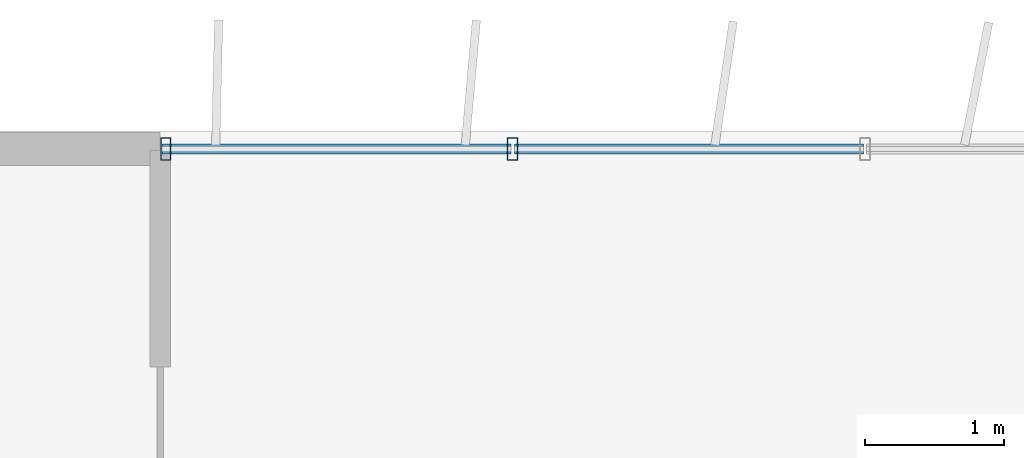
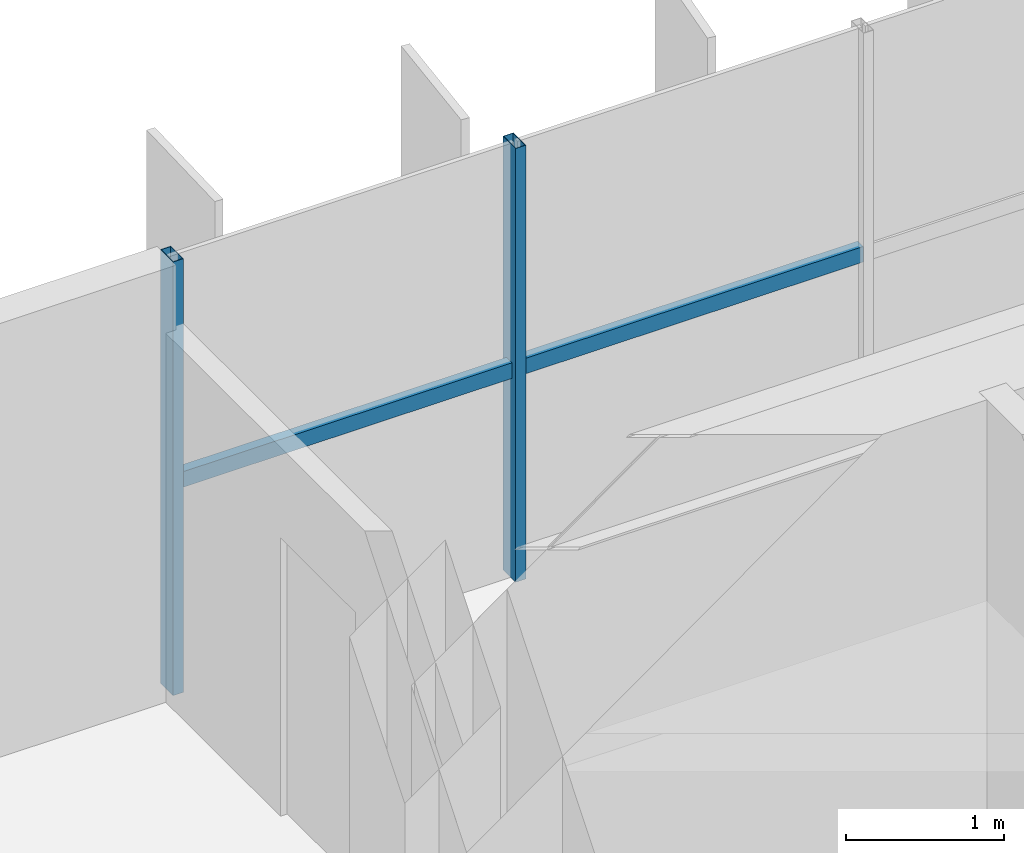
# One storey, part 4 of 22: 4 members, 1 element without a shape of its own.
"""IFC4 building model written with IfcOpenShell, lengths in metres."""

from ifc_helpers import new_model, si_unit, direction, frame, origin, origin_2d, place, context, subcontext, project, spatial, hollow_rectangle, extrude, source, transform, mapped, material, material_profile, profile_set, type_object, element, aggregate, save


model = new_model("IFC4")

# Units and contexts
model_context = context("Model", 3, precision=1e-05, world=origin(), true_north=direction((0.0, 1.0)))
body_context = subcontext(model_context, "Body", "Model", "MODEL_VIEW")
ifc_project = project(units=[si_unit("LENGTHUNIT", "METRE"), si_unit("AREAUNIT", "SQUARE_METRE"), si_unit("VOLUMEUNIT", "CUBIC_METRE"), si_unit("PLANEANGLEUNIT", "RADIAN"), si_unit("MASSUNIT", "GRAM", prefix="KILO")], contexts=[model_context])

# Site, building, storey
site_placement = place(None, origin())
site = spatial("IfcSite", under=ifc_project, at=site_placement, CompositionType="ELEMENT")
building_placement = place(site_placement, origin())
building = spatial("IfcBuilding", under=site, at=building_placement, Name="Trelvane Seafront Commons", CompositionType="ELEMENT")
storey_placement = place(building_placement, frame((0.0, 0.0, 132.10009765625)))
storey = spatial("IfcBuildingStorey", under=building, at=storey_placement, Name="L34", CompositionType="ELEMENT", Elevation=132.10009765625)

# Curtain wall, members
ifc_material = material(Name="Anodised pale-silver aluminium", Category="aluminium")
curtain_wall_type = type_object("IfcCurtainWallType", Name="ARCH-CW5-UPTOWER", PredefinedType="NOTDEFINED", material=ifc_material)
curtain_wall_placement = place(storey_placement, origin())
curtain_wall = element("IfcCurtainWall", 1, at=curtain_wall_placement, inside=storey, type_object=curtain_wall_type, Name="CW-L34-0061", PredefinedType="NOTDEFINED")
ifc_material_profile_1 = material_profile(ifc_material, hollow_rectangle(XDim=0.070068359375, YDim=0.1201171875, WallThickness=0.00390625, at=origin_2d()), Name="TRAN-70x120x4")
ifc_profile_set_1 = profile_set([ifc_material_profile_1], Name="Anodised pale-silver aluminium")
member_type_1 = type_object("IfcMemberType", Name="ARCH-CW-TRAN-120", PredefinedType="USERDEFINED", material=ifc_profile_set_1)
shared_shape_1 = source(origin(), body_context, "Body", "SweptSolid", [
    extrude(hollow_rectangle(XDim=0.070068359375, YDim=0.1201171875, WallThickness=0.00390625, at=origin_2d()), origin(), (0.0, 0.0, 1.0), 2.51708984375),
])
member_1_placement = place(storey_placement, frame((15.612060546875, 48.3701171875, 1.60791015625), z_axis=(1.0, 0.0, 0.0), x_axis=(0.0, 1.0, 0.0)))
member_1 = element("IfcMember", 2, at=member_1_placement, type_object=member_type_1, Name="CW-L34-0061-T00", ObjectType="TRANSOM", PredefinedType="USERDEFINED", context=body_context, shape_type="MappedRepresentation", body=[
    mapped(shared_shape_1, transform((0.0, 0.0, 0.0), x_axis=(1.0, 0.0, 0.0), y_axis=(0.0, 1.0, 0.0), z_axis=(0.0, 0.0, 1.0), scale=1.0)),
])
member_2_placement = place(storey_placement, frame((18.1533203125, 48.3701171875, 1.60791015625), z_axis=(1.0, 0.0, 0.0), x_axis=(0.0, 1.0, 0.0)))
member_2 = element("IfcMember", 3, at=member_2_placement, type_object=member_type_1, Name="CW-L34-0061-T01", ObjectType="TRANSOM", PredefinedType="USERDEFINED", context=body_context, shape_type="MappedRepresentation", body=[
    mapped(shared_shape_1, transform((0.0, 0.0, 0.0), x_axis=(1.0, 0.0, 0.0), y_axis=(0.0, 1.0, 0.0), z_axis=(0.0, 0.0, 1.0), scale=1.0)),
])
ifc_material_profile_2 = material_profile(ifc_material, hollow_rectangle(XDim=0.074951171875, YDim=0.159912109375, WallThickness=0.00390625, at=origin_2d()), Name="MULL-75x160x4")
ifc_profile_set_2 = profile_set([ifc_material_profile_2], Name="Anodised pale-silver aluminium")
member_type_2 = type_object("IfcMemberType", Name="ARCH-CW-MULL-160", PredefinedType="MULLION", material=ifc_profile_set_2)
shared_shape_2 = source(origin(), body_context, "Body", "SweptSolid", [
    extrude(hollow_rectangle(XDim=0.074951171875, YDim=0.159912109375, WallThickness=0.00390625, at=origin_2d()), origin(), (0.0, 0.0, 1.0), 3.349853515625),
])
member_3_placement = place(storey_placement, frame((15.639892578125, 48.3701171875, 0.0), z_axis=(0.0, 0.0, 1.0), x_axis=(1.0, 0.0, 0.0)))
member_3 = element("IfcMember", 4, at=member_3_placement, type_object=member_type_2, Name="CW-L34-0061-M00", PredefinedType="MULLION", context=body_context, shape_type="MappedRepresentation", body=[
    mapped(shared_shape_2, transform((0.0, 0.0, 0.0), x_axis=(1.0, 0.0, 0.0), y_axis=(0.0, 1.0, 0.0), z_axis=(0.0, 0.0, 1.0), scale=1.0)),
])
member_4_placement = place(storey_placement, frame((18.14111328125, 48.3701171875, 0.0), z_axis=(0.0, 0.0, 1.0), x_axis=(1.0, 0.0, 0.0)))
member_4 = element("IfcMember", 5, at=member_4_placement, type_object=member_type_2, Name="CW-L34-0061-M01", PredefinedType="MULLION", context=body_context, shape_type="MappedRepresentation", body=[
    mapped(shared_shape_2, transform((0.0, 0.0, 0.0), x_axis=(1.0, 0.0, 0.0), y_axis=(0.0, 1.0, 0.0), z_axis=(0.0, 0.0, 1.0), scale=1.0)),
])
aggregate(curtain_wall, [member_3, member_4, member_1, member_2])

save(model, "model.ifc")
